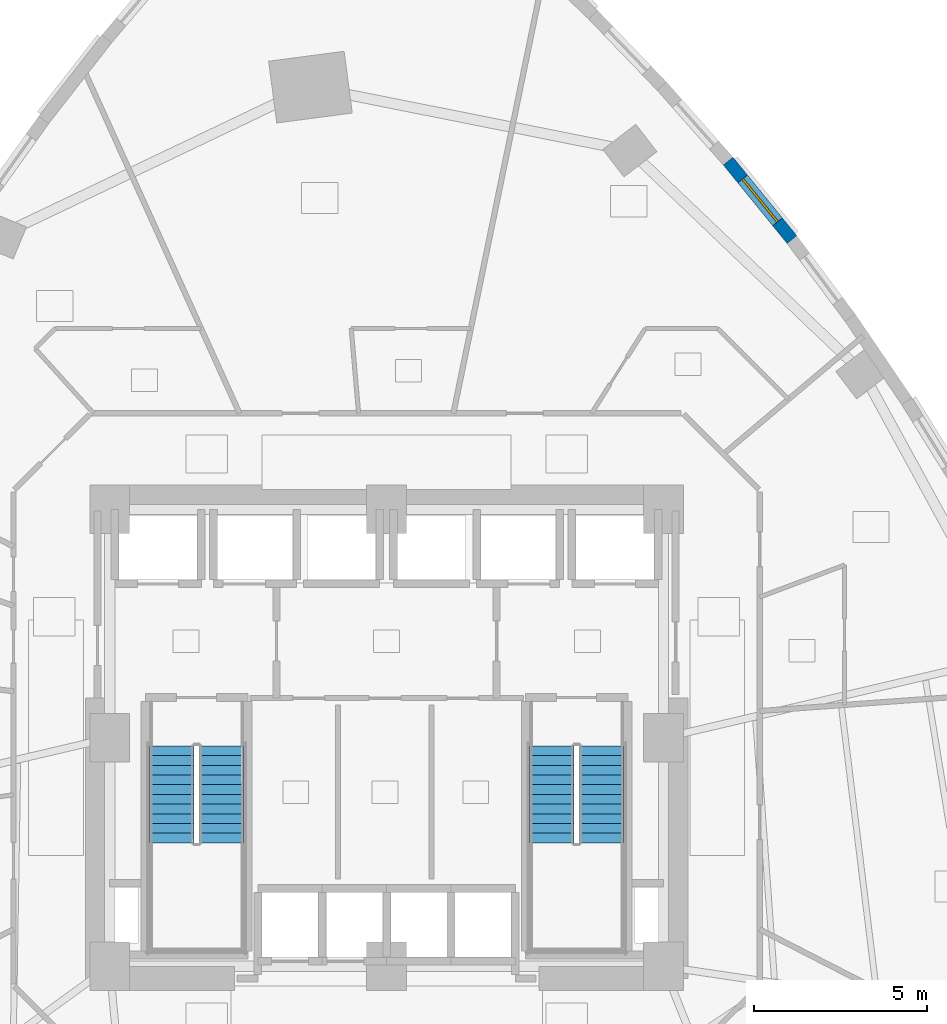
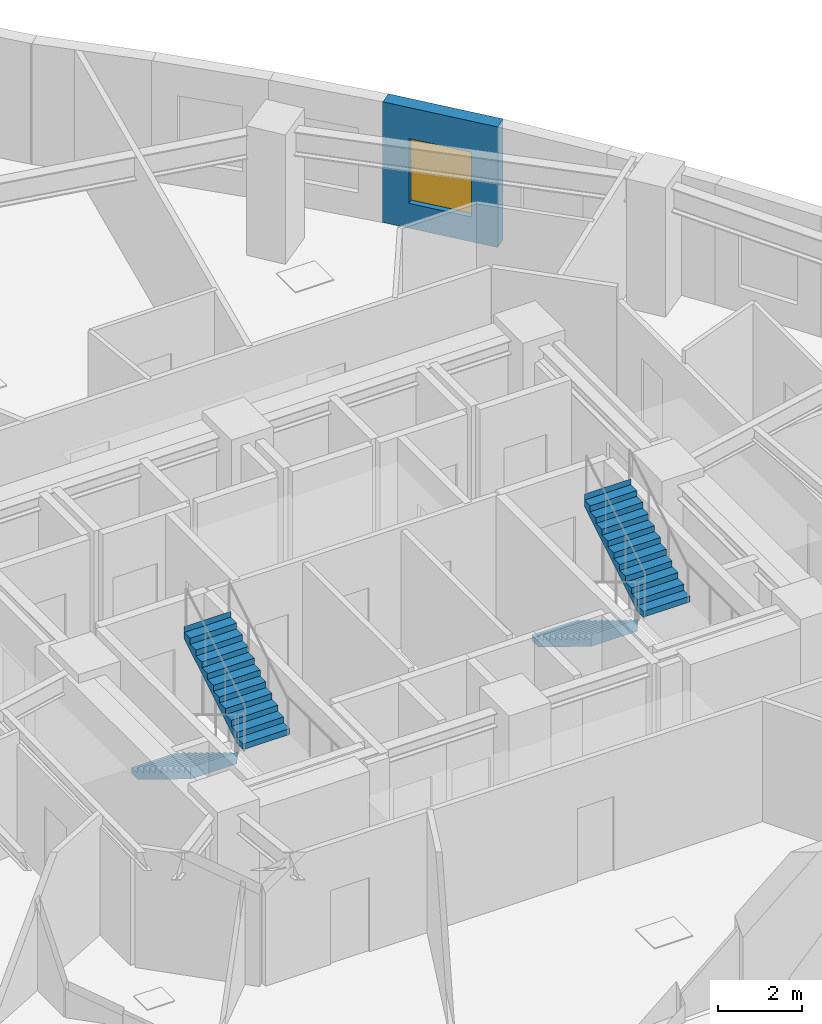
# One storey, part 8 of 11: 4 stair flights, 1 wall, 1 window, 1 opening, 2 elements without a shape of their own.
"""IFC4 building model written with IfcOpenShell, lengths in metres."""

from ifc_helpers import new_model, si_unit, direction, frame, frame_2d, origin, place, context, subcontext, project, spatial, polyline, rectangle, outline, extrude, material, layer, layer_set, type_object, element, fill, aggregate, save


model = new_model("IFC4")

# Units and contexts
model_context = context("Model", 3, precision=1e-05, world=origin(), true_north=direction((0.0, 1.0)))
body_context = subcontext(model_context, "Body", "Model", "MODEL_VIEW")
ifc_project = project(units=[si_unit("LENGTHUNIT", "METRE"), si_unit("AREAUNIT", "SQUARE_METRE"), si_unit("VOLUMEUNIT", "CUBIC_METRE"), si_unit("PLANEANGLEUNIT", "RADIAN"), si_unit("MASSUNIT", "GRAM", prefix="KILO")], contexts=[model_context])

# Site, building, storey
site_placement = place(None, origin())
site = spatial("IfcSite", under=ifc_project, at=site_placement, CompositionType="ELEMENT")
building_placement = place(site_placement, origin())
building = spatial("IfcBuilding", under=site, at=building_placement, Name="Ndelora Gate Hotel", CompositionType="ELEMENT")
storey_placement = place(building_placement, frame((0.0, 0.0, 45.5)))
storey = spatial("IfcBuildingStorey", under=building, at=storey_placement, Name="L10", CompositionType="ELEMENT", Elevation=45.5)

# Wall, opening, window
ifc_material_1 = material(Name="Clay Brick Masonry", Category="masonry")
ifc_layer = layer(ifc_material_1, 0.360107421875)
ifc_layer_set = layer_set([ifc_layer], Name="Clay Brick Masonry")
wall_type = type_object("IfcWallType", Name="WL-BRICK-360", PredefinedType="SOLIDWALL", material=ifc_layer_set)
wall_placement = place(storey_placement, frame((9.866943359375, 16.664306640625, 0.0), z_axis=(0.0, 0.0, 1.0), x_axis=(0.630712015434, -0.776016980218, 0.0)))
wall = element("IfcWall", 1, at=wall_placement, inside=storey, type_object=wall_type, Name="L10 Tower Brick Pier-and-Spandrel Wall TWR-55", PredefinedType="SOLIDWALL", context=body_context, shape_type="SweptSolid", body=[
    extrude(rectangle(XDim=2.92529296875, YDim=0.360107421875, at=frame_2d((1.462646484375, 0.0))), origin(), (0.0, 0.0, 1.0), 3.5),
])
opening_placement = place(wall_placement, frame((0.66259765625, 0.0, 0.719970703125)))
opening = element("IfcOpeningElement", 2, at=opening_placement, cuts=wall, Name="Opening W01", PredefinedType="OPENING", context=body_context, shape_type="SweptSolid", body=[
    extrude(rectangle(XDim=1.60009765625, YDim=1.8798828125, at=frame_2d((0.800048828125, 0.93994140625))), frame((0.0, 0.18994140625, 0.0), z_axis=(0.0, -1.0, 0.0), x_axis=(1.0, 0.0, 0.0)), (0.0, 0.0, 1.0), 0.380126953125),
])
ifc_material_2 = material(Name="Insulated Low-E Double Glazing in Bronze Aluminium Frame", Category="aluminium")
window_type = type_object("IfcWindowType", Name="WN-DEEP-1600", PartitioningType="SINGLE_PANEL", PredefinedType="WINDOW", material=ifc_material_2)
window_placement = place(opening_placement, origin())
window = element("IfcWindow", 3, at=window_placement, inside=storey, type_object=window_type, Name="L10 Deep-Set Brick-Pier Window W01", OverallHeight=1.8798828125, OverallWidth=1.60009765625, PartitioningType="SINGLE_PANEL", PredefinedType="WINDOW", context=body_context, shape_type="SweptSolid", body=[
    extrude(rectangle(XDim=1.60009765625, YDim=1.8798828125, at=frame_2d((0.800048828125, 0.93994140625))), frame((0.0, 0.030029296875, 0.0), z_axis=(0.0, -1.0, 0.0), x_axis=(1.0, 0.0, 0.0)), (0.0, 0.0, 1.0), 0.06005859375),
])
fill(opening, window)

# Stair, stair flights
ifc_material_3 = material(Name="Precast concrete C40/50", Category="concrete")
stair_type = type_object("IfcStairType", Name="STR-DOG-CORE", PredefinedType="HALF_TURN_STAIR", material=ifc_material_3)
stair_1_placement = place(storey_placement, origin())
stair_1 = element("IfcStair", 4, at=stair_1_placement, inside=storey, type_object=stair_type, Name="L10 Protected Core Exit Stair ST4", PredefinedType="HALF_TURN_STAIR")
stair_flight_type = type_object("IfcStairFlightType", Name="STF-PRECAST", PredefinedType="STRAIGHT", material=ifc_material_3)
stair_flight_1_placement = place(storey_placement, frame((-6.2099609375, -0.22998046875, 0.0), z_axis=(0.0, 0.0, 1.0), x_axis=(0.0, -1.0, 0.0)))
stair_flight_1 = element("IfcStairFlight", 5, at=stair_flight_1_placement, type_object=stair_flight_type, Name="ST4 flight 1", NumberOfRisers=11, NumberOfTreads=10, PredefinedType="STRAIGHT", RiserHeight=0.170454545, TreadLength=0.28, context=body_context, shape_type="SweptSolid", body=[
    extrude(outline(polyline([(-0.00048828125, 0.0), (-0.00048828125, 0.17041015625), (0.0, 0.17041015625), (0.280029296875, 0.17041015625), (0.280029296875, 0.3408203125), (0.56005859375, 0.3408203125), (0.56005859375, 0.511474609375), (0.840087890625, 0.511474609375), (0.840087890625, 0.681884765625), (1.1201171875, 0.681884765625), (1.1201171875, 0.852294921875), (1.39990234375, 0.852294921875), (1.39990234375, 1.022705078125), (1.679931640625, 1.022705078125), (1.679931640625, 1.193115234375), (1.9599609375, 1.193115234375), (1.9599609375, 1.363525390625), (2.239990234375, 1.363525390625), (2.239990234375, 1.5341796875), (2.52001953125, 1.5341796875), (2.52001953125, 1.70458984375), (2.800048828125, 1.70458984375), (2.800048828125, 1.875), (2.800537109375, 1.875), (2.800537109375, 1.695068359375), (2.800048828125, 1.529052734375), (0.288330078125, 0.0), (-0.00048828125, 0.0)])), frame((0.0, 0.64013671875, 0.0), z_axis=(0.0, -1.0, 0.0), x_axis=(1.0, 0.0, 0.0)), (0.0, 0.0, 1.0), 1.280029296875),
])
stair_flight_2_placement = place(storey_placement, frame((-4.77001953125, -3.030029296875, 1.875), z_axis=(0.0, 0.0, 1.0), x_axis=(0.0, 1.0, 0.0)))
stair_flight_2 = element("IfcStairFlight", 6, at=stair_flight_2_placement, type_object=stair_flight_type, Name="ST4 flight 2", NumberOfRisers=11, NumberOfTreads=10, PredefinedType="STRAIGHT", RiserHeight=0.170454545, TreadLength=0.28, context=body_context, shape_type="SweptSolid", body=[
    extrude(outline(polyline([(-0.00048828125, 0.0), (-0.00048828125, 0.17041015625), (0.0, 0.17041015625), (0.280029296875, 0.17041015625), (0.280029296875, 0.3408203125), (0.56005859375, 0.3408203125), (0.56005859375, 0.511474609375), (0.840087890625, 0.511474609375), (0.840087890625, 0.681884765625), (1.1201171875, 0.681884765625), (1.1201171875, 0.852294921875), (1.39990234375, 0.852294921875), (1.39990234375, 1.022705078125), (1.679931640625, 1.022705078125), (1.679931640625, 1.193115234375), (1.9599609375, 1.193115234375), (1.9599609375, 1.363525390625), (2.239990234375, 1.363525390625), (2.239990234375, 1.5341796875), (2.52001953125, 1.5341796875), (2.52001953125, 1.70458984375), (2.800048828125, 1.70458984375), (2.800048828125, 1.875), (2.800537109375, 1.875), (2.800537109375, 1.695068359375), (2.800048828125, 1.529052734375), (0.288330078125, 0.0), (-0.00048828125, 0.0)])), frame((0.0, 0.64013671875, 0.0), z_axis=(0.0, -1.0, 0.0), x_axis=(1.0, 0.0, 0.0)), (0.0, 0.0, 1.0), 1.280029296875),
])
aggregate(stair_1, [stair_flight_1, stair_flight_2])

stair_2_placement = place(storey_placement, origin())
stair_2 = element("IfcStair", 7, at=stair_2_placement, inside=storey, type_object=stair_type, Name="L10 Protected Core Exit Stair ST5", PredefinedType="HALF_TURN_STAIR")
stair_flight_3_placement = place(storey_placement, frame((4.77001953125, -0.22998046875, 0.0), z_axis=(0.0, 0.0, 1.0), x_axis=(0.0, -1.0, 0.0)))
stair_flight_3 = element("IfcStairFlight", 8, at=stair_flight_3_placement, type_object=stair_flight_type, Name="ST5 flight 1", NumberOfRisers=11, NumberOfTreads=10, PredefinedType="STRAIGHT", RiserHeight=0.170454545, TreadLength=0.28, context=body_context, shape_type="SweptSolid", body=[
    extrude(outline(polyline([(-0.00048828125, 0.0), (-0.00048828125, 0.17041015625), (0.0, 0.17041015625), (0.280029296875, 0.17041015625), (0.280029296875, 0.3408203125), (0.56005859375, 0.3408203125), (0.56005859375, 0.511474609375), (0.840087890625, 0.511474609375), (0.840087890625, 0.681884765625), (1.1201171875, 0.681884765625), (1.1201171875, 0.852294921875), (1.39990234375, 0.852294921875), (1.39990234375, 1.022705078125), (1.679931640625, 1.022705078125), (1.679931640625, 1.193115234375), (1.9599609375, 1.193115234375), (1.9599609375, 1.363525390625), (2.239990234375, 1.363525390625), (2.239990234375, 1.5341796875), (2.52001953125, 1.5341796875), (2.52001953125, 1.70458984375), (2.800048828125, 1.70458984375), (2.800048828125, 1.875), (2.800537109375, 1.875), (2.800537109375, 1.695068359375), (2.800048828125, 1.529052734375), (0.288330078125, 0.0), (-0.00048828125, 0.0)])), frame((0.0, 0.64013671875, 0.0), z_axis=(0.0, -1.0, 0.0), x_axis=(1.0, 0.0, 0.0)), (0.0, 0.0, 1.0), 1.280029296875),
])
stair_flight_4_placement = place(storey_placement, frame((6.2099609375, -3.030029296875, 1.875), z_axis=(0.0, 0.0, 1.0), x_axis=(0.0, 1.0, 0.0)))
stair_flight_4 = element("IfcStairFlight", 9, at=stair_flight_4_placement, type_object=stair_flight_type, Name="ST5 flight 2", NumberOfRisers=11, NumberOfTreads=10, PredefinedType="STRAIGHT", RiserHeight=0.170454545, TreadLength=0.28, context=body_context, shape_type="SweptSolid", body=[
    extrude(outline(polyline([(-0.00048828125, 0.0), (-0.00048828125, 0.17041015625), (0.0, 0.17041015625), (0.280029296875, 0.17041015625), (0.280029296875, 0.3408203125), (0.56005859375, 0.3408203125), (0.56005859375, 0.511474609375), (0.840087890625, 0.511474609375), (0.840087890625, 0.681884765625), (1.1201171875, 0.681884765625), (1.1201171875, 0.852294921875), (1.39990234375, 0.852294921875), (1.39990234375, 1.022705078125), (1.679931640625, 1.022705078125), (1.679931640625, 1.193115234375), (1.9599609375, 1.193115234375), (1.9599609375, 1.363525390625), (2.239990234375, 1.363525390625), (2.239990234375, 1.5341796875), (2.52001953125, 1.5341796875), (2.52001953125, 1.70458984375), (2.800048828125, 1.70458984375), (2.800048828125, 1.875), (2.800537109375, 1.875), (2.800537109375, 1.695068359375), (2.800048828125, 1.529052734375), (0.288330078125, 0.0), (-0.00048828125, 0.0)])), frame((0.0, 0.64013671875, 0.0), z_axis=(0.0, -1.0, 0.0), x_axis=(1.0, 0.0, 0.0)), (0.0, 0.0, 1.0), 1.280029296875),
])
aggregate(stair_2, [stair_flight_3, stair_flight_4])

save(model, "model.ifc")
